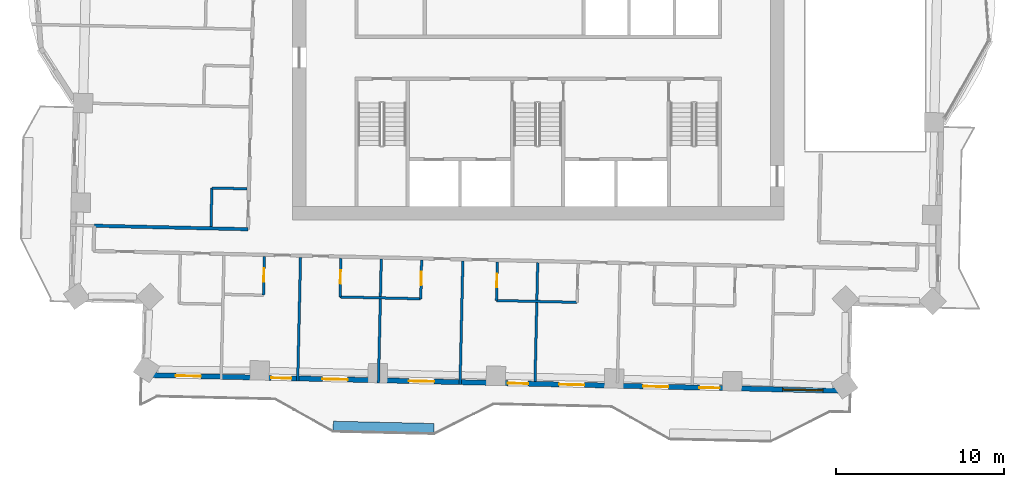
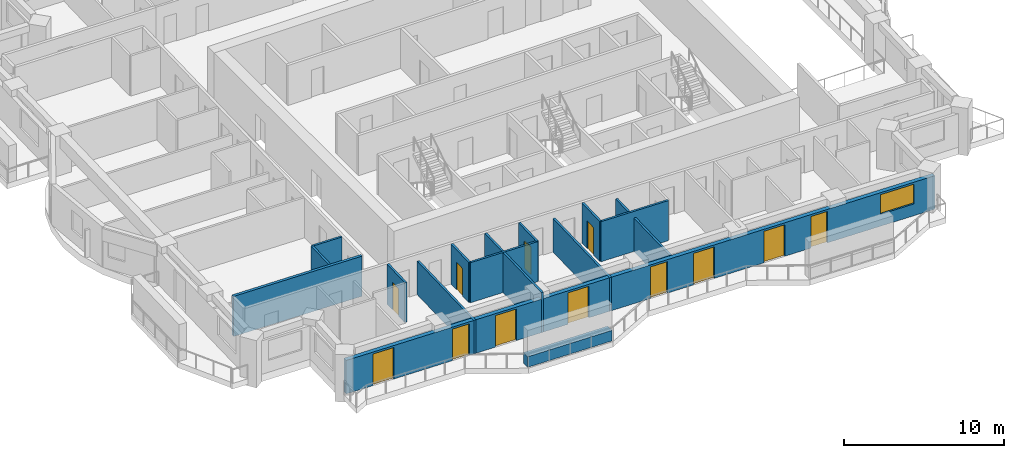
# One storey, part 6 of 16: 15 walls, 12 doors, 1 window, 13 openings.
"""IFC4 building model written with IfcOpenShell, lengths in metres."""

from ifc_helpers import new_model, si_unit, direction, frame, frame_2d, origin, place, context, subcontext, project, spatial, rectangle, extrude, material, layer, layer_set, type_object, element, fill, save


model = new_model("IFC4")

# Units and contexts
model_context = context("Model", 3, precision=1e-05, world=origin(), true_north=direction((0.0, 1.0)))
body_context = subcontext(model_context, "Body", "Model", "MODEL_VIEW")
ifc_project = project(units=[si_unit("LENGTHUNIT", "METRE"), si_unit("AREAUNIT", "SQUARE_METRE"), si_unit("VOLUMEUNIT", "CUBIC_METRE"), si_unit("PLANEANGLEUNIT", "RADIAN"), si_unit("MASSUNIT", "GRAM", prefix="KILO")], contexts=[model_context])

# Site, building, storey
site_placement = place(None, origin())
site = spatial("IfcSite", under=ifc_project, at=site_placement, CompositionType="ELEMENT")
building_placement = place(site_placement, origin())
building = spatial("IfcBuilding", under=site, at=building_placement, Name="Mangrove Gate Tower", CompositionType="ELEMENT")
storey_placement = place(building_placement, frame((0.0, 0.0, 197.89990234375)))
storey = spatial("IfcBuildingStorey", under=building, at=storey_placement, Name="L50", CompositionType="ELEMENT", Elevation=197.89990234375)

# Wall
ifc_material_1 = material(Name="Gypsum board on steel stud, EI 60", Category="steel")
ifc_layer_1 = layer(ifc_material_1, 0.199951171875)
ifc_layer_set_1 = layer_set([ifc_layer_1], Name="Corridor wall EI 60")
wall_type_1 = type_object("IfcWallType", Name="Corridor wall EI 60", PredefinedType="PARTITIONING", material=ifc_layer_set_1)
wall_1_placement = place(storey_placement, frame((-26.386962890625, -11.94091796875, 0.0), z_axis=(0.0, 0.0, 1.0), x_axis=(0.999741076645, -0.022754772455, 0.0)))
element("IfcWall", 1, at=wall_1_placement, inside=storey, type_object=wall_type_1, Name="WALL-L50-028", PredefinedType="PARTITIONING", context=body_context, shape_type="SweptSolid", body=[
    extrude(rectangle(XDim=9.141357421875, YDim=0.199951171875, at=frame_2d((4.57080078125, 0.0))), origin(), (0.0, 0.0, 1.0), 3.050048828125),
])

# Wall, openings, doors, window
ifc_material_2 = material(Name="Limestone", Category="masonry")
ifc_layer_2 = layer(ifc_material_2, 0.0400390625, Name="Limestone cladding")
ifc_material_3 = material(Name="Ventilated air gap")
ifc_layer_3 = layer(ifc_material_3, 0.0400390625, Name="Ventilated cavity")
ifc_material_4 = material(Name="Mineral wool insulation")
ifc_layer_4 = layer(ifc_material_4, 0.06005859375, Name="Insulation")
ifc_material_5 = material(Name="Breather membrane")
ifc_layer_5 = layer(ifc_material_5, 0.001953125, Name="Breather membrane")
ifc_material_6 = material(Name="Concrete C20/25 blockwork", Category="masonry")
ifc_layer_6 = layer(ifc_material_6, 0.14990234375, Name="Blockwork backing wall")
ifc_material_7 = material(Name="Gypsum plaster")
ifc_layer_7 = layer(ifc_material_7, 0.008056640625, Name="Internal plaster")
ifc_layer_set_2 = layer_set([ifc_layer_2, ifc_layer_3, ifc_layer_4, ifc_layer_5, ifc_layer_6, ifc_layer_7], Name="External wall 300 limestone cladding")
wall_type_2 = type_object("IfcWallType", Name="External wall 300 limestone cladding", PredefinedType="SOLIDWALL", material=ifc_layer_set_2)
wall_2_placement = place(storey_placement, frame((-23.43701171875, -20.81005859375, 0.0), z_axis=(0.0, 0.0, 1.0), x_axis=(0.999742269115, -0.022702320244, 0.0)))
wall_2 = element("IfcWall", 2, at=wall_2_placement, inside=storey, type_object=wall_type_2, Name="WALL-L50-S13", PredefinedType="SOLIDWALL", context=body_context, shape_type="SweptSolid", body=[
    extrude(rectangle(XDim=41.84375, YDim=0.300048828125, at=frame_2d((20.921875, 0.0))), origin(), (0.0, 0.0, 1.0), 2.550048828125),
])
opening_1_placement = place(wall_2_placement, frame((1.89892578125, 0.0, 0.0)))
opening_1 = element("IfcOpeningElement", 3, at=opening_1_placement, cuts=wall_2, Name="Opening BD1", PredefinedType="OPENING", context=body_context, shape_type="SweptSolid", body=[
    extrude(rectangle(XDim=1.5, YDim=2.39990234375, at=frame_2d((0.75, 1.199951171875))), frame((0.0, 0.159912109375, 0.0), z_axis=(0.0, -1.0, 0.0), x_axis=(1.0, 0.0, 0.0)), (0.0, 0.0, 1.0), 0.320068359375),
])
opening_2_placement = place(wall_2_placement, frame((7.574951171875, 0.0, 0.0)))
opening_2 = element("IfcOpeningElement", 4, at=opening_2_placement, cuts=wall_2, Name="Opening BD2", PredefinedType="OPENING", context=body_context, shape_type="SweptSolid", body=[
    extrude(rectangle(XDim=1.199951171875, YDim=2.39990234375, at=frame_2d((0.60009765625, 1.199951171875))), frame((0.0, 0.159912109375, 0.0), z_axis=(0.0, -1.0, 0.0), x_axis=(1.0, 0.0, 0.0)), (0.0, 0.0, 1.0), 0.320068359375),
])
opening_3_placement = place(wall_2_placement, frame((10.612060546875, 0.0, 0.0)))
opening_3 = element("IfcOpeningElement", 5, at=opening_3_placement, cuts=wall_2, Name="Opening BD1", PredefinedType="OPENING", context=body_context, shape_type="SweptSolid", body=[
    extrude(rectangle(XDim=1.5, YDim=2.39990234375, at=frame_2d((0.75, 1.199951171875))), frame((0.0, 0.159912109375, 0.0), z_axis=(0.0, -1.0, 0.0), x_axis=(1.0, 0.0, 0.0)), (0.0, 0.0, 1.0), 0.320068359375),
])
opening_4_placement = place(wall_2_placement, frame((15.761962890625, 0.0, 0.0)))
opening_4 = element("IfcOpeningElement", 6, at=opening_4_placement, cuts=wall_2, Name="Opening BD1", PredefinedType="OPENING", context=body_context, shape_type="SweptSolid", body=[
    extrude(rectangle(XDim=1.5, YDim=2.39990234375, at=frame_2d((0.75, 1.199951171875))), frame((0.0, 0.159912109375, 0.0), z_axis=(0.0, -1.0, 0.0), x_axis=(1.0, 0.0, 0.0)), (0.0, 0.0, 1.0), 0.320068359375),
])
opening_5_placement = place(wall_2_placement, frame((21.64794921875, 0.0, 0.0)))
opening_5 = element("IfcOpeningElement", 7, at=opening_5_placement, cuts=wall_2, Name="Opening BD2", PredefinedType="OPENING", context=body_context, shape_type="SweptSolid", body=[
    extrude(rectangle(XDim=1.199951171875, YDim=2.39990234375, at=frame_2d((0.60009765625, 1.199951171875))), frame((0.0, 0.159912109375, 0.0), z_axis=(0.0, -1.0, 0.0), x_axis=(1.0, 0.0, 0.0)), (0.0, 0.0, 1.0), 0.320068359375),
])
opening_6_placement = place(wall_2_placement, frame((24.68505859375, 0.0, 0.0)))
opening_6 = element("IfcOpeningElement", 8, at=opening_6_placement, cuts=wall_2, Name="Opening BD1", PredefinedType="OPENING", context=body_context, shape_type="SweptSolid", body=[
    extrude(rectangle(XDim=1.5, YDim=2.39990234375, at=frame_2d((0.75, 1.199951171875))), frame((0.0, 0.159912109375, 0.0), z_axis=(0.0, -1.0, 0.0), x_axis=(1.0, 0.0, 0.0)), (0.0, 0.0, 1.0), 0.320068359375),
])
opening_7_placement = place(wall_2_placement, frame((29.68505859375, 0.0, 0.0)))
opening_7 = element("IfcOpeningElement", 9, at=opening_7_placement, cuts=wall_2, Name="Opening BD1", PredefinedType="OPENING", context=body_context, shape_type="SweptSolid", body=[
    extrude(rectangle(XDim=1.5, YDim=2.39990234375, at=frame_2d((0.75, 1.199951171875))), frame((0.0, 0.159912109375, 0.0), z_axis=(0.0, -1.0, 0.0), x_axis=(1.0, 0.0, 0.0)), (0.0, 0.0, 1.0), 0.320068359375),
])
opening_8_placement = place(wall_2_placement, frame((33.02197265625, 0.0, 0.0)))
opening_8 = element("IfcOpeningElement", 10, at=opening_8_placement, cuts=wall_2, Name="Opening BD2", PredefinedType="OPENING", context=body_context, shape_type="SweptSolid", body=[
    extrude(rectangle(XDim=1.199951171875, YDim=2.39990234375, at=frame_2d((0.60009765625, 1.199951171875))), frame((0.0, 0.159912109375, 0.0), z_axis=(0.0, -1.0, 0.0), x_axis=(1.0, 0.0, 0.0)), (0.0, 0.0, 1.0), 0.320068359375),
])
opening_9_placement = place(wall_2_placement, frame((37.97412109375, 0.0, 0.89990234375)))
opening_9 = element("IfcOpeningElement", 11, at=opening_9_placement, cuts=wall_2, Name="Opening W2", PredefinedType="OPENING", context=body_context, shape_type="SweptSolid", body=[
    extrude(rectangle(XDim=2.39990234375, YDim=1.5, at=frame_2d((1.199951171875, 0.75))), frame((0.0, 0.159912109375, 0.0), z_axis=(0.0, -1.0, 0.0), x_axis=(1.0, 0.0, 0.0)), (0.0, 0.0, 1.0), 0.320068359375),
])
ifc_material_8 = material(Name="Aluminium frame with laminated clear glass", Category="aluminium")
door_type_1 = type_object("IfcDoorType", Name="Balcony sliding door 1200x2400", OperationType="SLIDING_TO_LEFT", PredefinedType="DOOR", material=ifc_material_8)
door_1_placement = place(opening_2_placement, origin())
door_1 = element("IfcDoor", 12, at=door_1_placement, inside=storey, type_object=door_type_1, Name="DOOR-L50-S13-2", OperationType="SLIDING_TO_LEFT", OverallHeight=2.39990234375, OverallWidth=1.199951171875, PredefinedType="DOOR", context=body_context, shape_type="SweptSolid", body=[
    extrude(rectangle(XDim=1.199951171875, YDim=2.39990234375, at=frame_2d((0.60009765625, 1.199951171875))), frame((0.0, 0.02490234375, 0.0), z_axis=(0.0, -1.0, 0.0), x_axis=(1.0, 0.0, 0.0)), (0.0, 0.0, 1.0), 0.050048828125),
])
fill(opening_2, door_1)
door_2_placement = place(opening_5_placement, origin())
door_2 = element("IfcDoor", 13, at=door_2_placement, inside=storey, type_object=door_type_1, Name="DOOR-L50-S13-5", OperationType="SLIDING_TO_LEFT", OverallHeight=2.39990234375, OverallWidth=1.199951171875, PredefinedType="DOOR", context=body_context, shape_type="SweptSolid", body=[
    extrude(rectangle(XDim=1.199951171875, YDim=2.39990234375, at=frame_2d((0.60009765625, 1.199951171875))), frame((0.0, 0.02490234375, 0.0), z_axis=(0.0, -1.0, 0.0), x_axis=(1.0, 0.0, 0.0)), (0.0, 0.0, 1.0), 0.050048828125),
])
fill(opening_5, door_2)
door_3_placement = place(opening_8_placement, origin())
door_3 = element("IfcDoor", 14, at=door_3_placement, inside=storey, type_object=door_type_1, Name="DOOR-L50-S13-8", OperationType="SLIDING_TO_LEFT", OverallHeight=2.39990234375, OverallWidth=1.199951171875, PredefinedType="DOOR", context=body_context, shape_type="SweptSolid", body=[
    extrude(rectangle(XDim=1.199951171875, YDim=2.39990234375, at=frame_2d((0.60009765625, 1.199951171875))), frame((0.0, 0.02490234375, 0.0), z_axis=(0.0, -1.0, 0.0), x_axis=(1.0, 0.0, 0.0)), (0.0, 0.0, 1.0), 0.050048828125),
])
fill(opening_8, door_3)
ifc_material_9 = material(Name="Aluminium frame with laminated clear glass", Category="aluminium")
door_type_2 = type_object("IfcDoorType", Name="Balcony sliding door 1500x2400", OperationType="SLIDING_TO_LEFT", PredefinedType="DOOR", material=ifc_material_9)
door_4_placement = place(opening_1_placement, origin())
door_4 = element("IfcDoor", 15, at=door_4_placement, inside=storey, type_object=door_type_2, Name="DOOR-L50-S13-1", OperationType="SLIDING_TO_LEFT", OverallHeight=2.39990234375, OverallWidth=1.5, PredefinedType="DOOR", context=body_context, shape_type="SweptSolid", body=[
    extrude(rectangle(XDim=1.5, YDim=2.39990234375, at=frame_2d((0.75, 1.199951171875))), frame((0.0, 0.02490234375, 0.0), z_axis=(0.0, -1.0, 0.0), x_axis=(1.0, 0.0, 0.0)), (0.0, 0.0, 1.0), 0.050048828125),
])
fill(opening_1, door_4)
door_5_placement = place(opening_3_placement, origin())
door_5 = element("IfcDoor", 16, at=door_5_placement, inside=storey, type_object=door_type_2, Name="DOOR-L50-S13-3", OperationType="SLIDING_TO_LEFT", OverallHeight=2.39990234375, OverallWidth=1.5, PredefinedType="DOOR", context=body_context, shape_type="SweptSolid", body=[
    extrude(rectangle(XDim=1.5, YDim=2.39990234375, at=frame_2d((0.75, 1.199951171875))), frame((0.0, 0.02490234375, 0.0), z_axis=(0.0, -1.0, 0.0), x_axis=(1.0, 0.0, 0.0)), (0.0, 0.0, 1.0), 0.050048828125),
])
fill(opening_3, door_5)
door_6_placement = place(opening_4_placement, origin())
door_6 = element("IfcDoor", 17, at=door_6_placement, inside=storey, type_object=door_type_2, Name="DOOR-L50-S13-4", OperationType="SLIDING_TO_LEFT", OverallHeight=2.39990234375, OverallWidth=1.5, PredefinedType="DOOR", context=body_context, shape_type="SweptSolid", body=[
    extrude(rectangle(XDim=1.5, YDim=2.39990234375, at=frame_2d((0.75, 1.199951171875))), frame((0.0, 0.02490234375, 0.0), z_axis=(0.0, -1.0, 0.0), x_axis=(1.0, 0.0, 0.0)), (0.0, 0.0, 1.0), 0.050048828125),
])
fill(opening_4, door_6)
door_7_placement = place(opening_6_placement, origin())
door_7 = element("IfcDoor", 18, at=door_7_placement, inside=storey, type_object=door_type_2, Name="DOOR-L50-S13-6", OperationType="SLIDING_TO_LEFT", OverallHeight=2.39990234375, OverallWidth=1.5, PredefinedType="DOOR", context=body_context, shape_type="SweptSolid", body=[
    extrude(rectangle(XDim=1.5, YDim=2.39990234375, at=frame_2d((0.75, 1.199951171875))), frame((0.0, 0.02490234375, 0.0), z_axis=(0.0, -1.0, 0.0), x_axis=(1.0, 0.0, 0.0)), (0.0, 0.0, 1.0), 0.050048828125),
])
fill(opening_6, door_7)
door_8_placement = place(opening_7_placement, origin())
door_8 = element("IfcDoor", 19, at=door_8_placement, inside=storey, type_object=door_type_2, Name="DOOR-L50-S13-7", OperationType="SLIDING_TO_LEFT", OverallHeight=2.39990234375, OverallWidth=1.5, PredefinedType="DOOR", context=body_context, shape_type="SweptSolid", body=[
    extrude(rectangle(XDim=1.5, YDim=2.39990234375, at=frame_2d((0.75, 1.199951171875))), frame((0.0, 0.02490234375, 0.0), z_axis=(0.0, -1.0, 0.0), x_axis=(1.0, 0.0, 0.0)), (0.0, 0.0, 1.0), 0.050048828125),
])
fill(opening_7, door_8)
ifc_material_10 = material(Name="Aluminium frame with double-glazed low-e glass", Category="aluminium")
window_type = type_object("IfcWindowType", Name="Corner room window 2400x1500", PartitioningType="DOUBLE_PANEL_VERTICAL", PredefinedType="WINDOW", material=ifc_material_10)
window_placement = place(opening_9_placement, origin())
window = element("IfcWindow", 20, at=window_placement, inside=storey, type_object=window_type, Name="WIN-L50-S13-9", OverallHeight=1.5, OverallWidth=2.39990234375, PartitioningType="DOUBLE_PANEL_VERTICAL", PredefinedType="WINDOW", context=body_context, shape_type="SweptSolid", body=[
    extrude(rectangle(XDim=2.39990234375, YDim=1.5, at=frame_2d((1.199951171875, 0.75))), frame((0.0, 0.030029296875, 0.0), z_axis=(0.0, -1.0, 0.0), x_axis=(1.0, 0.0, 0.0)), (0.0, 0.0, 1.0), 0.06005859375),
])
fill(opening_9, window)

# Walls
ifc_material_11 = material(Name="Gypsum board on steel stud, EI 60", Category="steel")
ifc_layer_8 = layer(ifc_material_11, 0.14990234375)
ifc_layer_set_3 = layer_set([ifc_layer_8], Name="Party wall 150 EI 60")
wall_type_3 = type_object("IfcWallType", Name="Party wall 150 EI 60", PredefinedType="PARTITIONING", material=ifc_layer_set_3)
wall_3_placement = place(storey_placement, frame((-14.291015625, -21.16796875, 0.0), z_axis=(0.0, 0.0, 1.0), x_axis=(0.022720650804, 0.999741852694, 0.0)))
element("IfcWall", 21, at=wall_3_placement, inside=storey, type_object=wall_type_3, Name="WALL-L50-002", PredefinedType="PARTITIONING", context=body_context, shape_type="SweptSolid", body=[
    extrude(rectangle(XDim=7.349853515625, YDim=0.14990234375, at=frame_2d((3.6748046875, 0.0))), origin(), (0.0, 0.0, 1.0), 2.550048828125),
])
wall_4_placement = place(storey_placement, frame((-9.491943359375, -21.277099609375, 0.0), z_axis=(0.0, 0.0, 1.0), x_axis=(0.022719896304, 0.99974186984, 0.0)))
element("IfcWall", 22, at=wall_4_placement, inside=storey, type_object=wall_type_3, Name="WALL-L50-003", PredefinedType="PARTITIONING", context=body_context, shape_type="SweptSolid", body=[
    extrude(rectangle(XDim=7.35009765625, YDim=0.14990234375, at=frame_2d((3.675048828125, 0.0))), origin(), (0.0, 0.0, 1.0), 3.050048828125),
])
wall_5_placement = place(storey_placement, frame((-4.64306640625, -21.386962890625, 0.0), z_axis=(0.0, 0.0, 1.0), x_axis=(0.022587849492, 0.99974486198, 0.0)))
element("IfcWall", 23, at=wall_5_placement, inside=storey, type_object=wall_type_3, Name="WALL-L50-004", PredefinedType="PARTITIONING", context=body_context, shape_type="SweptSolid", body=[
    extrude(rectangle(XDim=7.349853515625, YDim=0.14990234375, at=frame_2d((3.6748046875, 0.0))), origin(), (0.0, 0.0, 1.0), 2.550048828125),
])
wall_6_placement = place(storey_placement, frame((-0.18798828125, -21.18798828125, 0.0), z_axis=(0.0, 0.0, 1.0), x_axis=(0.022682859663, 0.99974271084, 0.0)))
element("IfcWall", 24, at=wall_6_placement, inside=storey, type_object=wall_type_3, Name="WALL-L50-005", PredefinedType="PARTITIONING", context=body_context, shape_type="SweptSolid", body=[
    extrude(rectangle(XDim=7.0498046875, YDim=0.14990234375, at=frame_2d((3.52490234375, 0.0))), origin(), (0.0, 0.0, 1.0), 2.550048828125),
])

# Wall, opening, door
wall_7_placement = place(storey_placement, frame((-16.325927734375, -16.070068359375, 0.0), z_axis=(0.0, 0.0, 1.0), x_axis=(0.022612884682, 0.999744296031, 0.0)))
wall_7 = element("IfcWall", 25, at=wall_7_placement, inside=storey, type_object=wall_type_3, Name="WALL-L50-014", PredefinedType="PARTITIONING", context=body_context, shape_type="SweptSolid", body=[
    extrude(rectangle(XDim=2.299560546875, YDim=0.14990234375, at=frame_2d((1.14990234375, 0.0))), origin(), (0.0, 0.0, 1.0), 3.050048828125),
])
opening_10_placement = place(wall_7_placement, frame((0.800048828125, 0.0, 0.0)))
opening_10 = element("IfcOpeningElement", 26, at=opening_10_placement, cuts=wall_7, Name="Opening ED", PredefinedType="OPENING", context=body_context, shape_type="SweptSolid", body=[
    extrude(rectangle(XDim=0.800048828125, YDim=2.10009765625, at=frame_2d((0.39990234375, 1.050048828125))), frame((0.0, 0.0849609375, 0.0), z_axis=(0.0, -1.0, 0.0), x_axis=(1.0, 0.0, 0.0)), (0.0, 0.0, 1.0), 0.169921875),
])
ifc_material_12 = material(Name="Timber door leaf", Category="wood")
door_type_3 = type_object("IfcDoorType", Name="En-suite door 800", OperationType="SINGLE_SWING_LEFT", PredefinedType="DOOR", material=ifc_material_12)
door_9_placement = place(opening_10_placement, origin())
door_9 = element("IfcDoor", 27, at=door_9_placement, inside=storey, type_object=door_type_3, Name="DOOR-L50-ENS-c101", OperationType="SINGLE_SWING_LEFT", OverallHeight=2.10009765625, OverallWidth=0.800048828125, PredefinedType="DOOR", context=body_context, shape_type="SweptSolid", body=[
    extrude(rectangle(XDim=0.800048828125, YDim=2.10009765625, at=frame_2d((0.39990234375, 1.050048828125))), frame((0.0, 0.02490234375, 0.0), z_axis=(0.0, -1.0, 0.0), x_axis=(1.0, 0.0, 0.0)), (0.0, 0.0, 1.0), 0.050048828125),
])
fill(opening_10, door_9)

# Wall
wall_8_placement = place(storey_placement, frame((-11.779052734375, -16.174072265625, 0.0), z_axis=(0.0, 0.0, 1.0), x_axis=(0.999742701292, -0.022683280499, 0.0)))
element("IfcWall", 28, at=wall_8_placement, inside=storey, type_object=wall_type_3, Name="WALL-L50-015", PredefinedType="PARTITIONING", context=body_context, shape_type="SweptSolid", body=[
    extrude(rectangle(XDim=4.80029296875, YDim=0.14990234375, at=frame_2d((2.400146484375, 0.0))), origin(), (0.0, 0.0, 1.0), 3.050048828125),
])

# Wall, opening, door
wall_9_placement = place(storey_placement, frame((-11.777099609375, -16.174072265625, 0.0), z_axis=(0.0, 0.0, 1.0), x_axis=(0.022603288534, 0.999744513037, 0.0)))
wall_9 = element("IfcWall", 29, at=wall_9_placement, inside=storey, type_object=wall_type_3, Name="WALL-L50-016", PredefinedType="PARTITIONING", context=body_context, shape_type="SweptSolid", body=[
    extrude(rectangle(XDim=2.300537109375, YDim=0.14990234375, at=frame_2d((1.150390625, 0.0))), origin(), (0.0, 0.0, 1.0), 3.050048828125),
])
opening_11_placement = place(wall_9_placement, frame((0.800048828125, 0.0, 0.0)))
opening_11 = element("IfcOpeningElement", 30, at=opening_11_placement, cuts=wall_9, Name="Opening ED", PredefinedType="OPENING", context=body_context, shape_type="SweptSolid", body=[
    extrude(rectangle(XDim=0.800048828125, YDim=2.10009765625, at=frame_2d((0.39990234375, 1.050048828125))), frame((0.0, 0.0849609375, 0.0), z_axis=(0.0, -1.0, 0.0), x_axis=(1.0, 0.0, 0.0)), (0.0, 0.0, 1.0), 0.169921875),
])
door_10_placement = place(opening_11_placement, origin())
door_10 = element("IfcDoor", 31, at=door_10_placement, inside=storey, type_object=door_type_3, Name="DOOR-L50-ENS-c102", OperationType="SINGLE_SWING_RIGHT", OverallHeight=2.10009765625, OverallWidth=0.800048828125, PredefinedType="DOOR", context=body_context, shape_type="SweptSolid", body=[
    extrude(rectangle(XDim=0.800048828125, YDim=2.10009765625, at=frame_2d((0.39990234375, 1.050048828125))), frame((0.0, 0.02490234375, 0.0), z_axis=(0.0, -1.0, 0.0), x_axis=(1.0, 0.0, 0.0)), (0.0, 0.0, 1.0), 0.050048828125),
])
fill(opening_11, door_10)

wall_10_placement = place(storey_placement, frame((-6.97802734375, -16.282958984375, 0.0), z_axis=(0.0, 0.0, 1.0), x_axis=(0.022603288534, 0.999744513037, 0.0)))
wall_10 = element("IfcWall", 32, at=wall_10_placement, inside=storey, type_object=wall_type_3, Name="WALL-L50-017", PredefinedType="PARTITIONING", context=body_context, shape_type="SweptSolid", body=[
    extrude(rectangle(XDim=2.300537109375, YDim=0.14990234375, at=frame_2d((1.150390625, 0.0))), origin(), (0.0, 0.0, 1.0), 3.050048828125),
])
opening_12_placement = place(wall_10_placement, frame((0.800048828125, 0.0, 0.0)))
opening_12 = element("IfcOpeningElement", 33, at=opening_12_placement, cuts=wall_10, Name="Opening ED", PredefinedType="OPENING", context=body_context, shape_type="SweptSolid", body=[
    extrude(rectangle(XDim=0.800048828125, YDim=2.10009765625, at=frame_2d((0.39990234375, 1.050048828125))), frame((0.0, 0.0849609375, 0.0), z_axis=(0.0, -1.0, 0.0), x_axis=(1.0, 0.0, 0.0)), (0.0, 0.0, 1.0), 0.169921875),
])
door_11_placement = place(opening_12_placement, origin())
door_11 = element("IfcDoor", 34, at=door_11_placement, inside=storey, type_object=door_type_3, Name="DOOR-L50-ENS-c103", OperationType="SINGLE_SWING_LEFT", OverallHeight=2.10009765625, OverallWidth=0.800048828125, PredefinedType="DOOR", context=body_context, shape_type="SweptSolid", body=[
    extrude(rectangle(XDim=0.800048828125, YDim=2.10009765625, at=frame_2d((0.39990234375, 1.050048828125))), frame((0.0, 0.02490234375, 0.0), z_axis=(0.0, -1.0, 0.0), x_axis=(1.0, 0.0, 0.0)), (0.0, 0.0, 1.0), 0.050048828125),
])
fill(opening_12, door_11)

# Wall
wall_11_placement = place(storey_placement, frame((-2.48095703125, -16.385009765625, 0.0), z_axis=(0.0, 0.0, 1.0), x_axis=(0.999742570398, -0.022689048768, 0.0)))
element("IfcWall", 35, at=wall_11_placement, inside=storey, type_object=wall_type_3, Name="WALL-L50-018", PredefinedType="PARTITIONING", context=body_context, shape_type="SweptSolid", body=[
    extrude(rectangle(XDim=4.799072265625, YDim=0.14990234375, at=frame_2d((2.3994140625, 0.0))), origin(), (0.0, 0.0, 1.0), 3.050048828125),
])

# Wall, opening, door
wall_12_placement = place(storey_placement, frame((-2.47900390625, -16.385009765625, 0.0), z_axis=(0.0, 0.0, 1.0), x_axis=(0.022603288534, 0.999744513037, 0.0)))
wall_12 = element("IfcWall", 36, at=wall_12_placement, inside=storey, type_object=wall_type_3, Name="WALL-L50-019", PredefinedType="PARTITIONING", context=body_context, shape_type="SweptSolid", body=[
    extrude(rectangle(XDim=2.300537109375, YDim=0.14990234375, at=frame_2d((1.150390625, 0.0))), origin(), (0.0, 0.0, 1.0), 3.050048828125),
])
opening_13_placement = place(wall_12_placement, frame((0.800048828125, 0.0, 0.0)))
opening_13 = element("IfcOpeningElement", 37, at=opening_13_placement, cuts=wall_12, Name="Opening ED", PredefinedType="OPENING", context=body_context, shape_type="SweptSolid", body=[
    extrude(rectangle(XDim=0.800048828125, YDim=2.10009765625, at=frame_2d((0.39990234375, 1.050048828125))), frame((0.0, 0.0849609375, 0.0), z_axis=(0.0, -1.0, 0.0), x_axis=(1.0, 0.0, 0.0)), (0.0, 0.0, 1.0), 0.169921875),
])
door_12_placement = place(opening_13_placement, origin())
door_12 = element("IfcDoor", 38, at=door_12_placement, inside=storey, type_object=door_type_3, Name="DOOR-L50-ENS-c204", OperationType="SINGLE_SWING_RIGHT", OverallHeight=2.10009765625, OverallWidth=0.800048828125, PredefinedType="DOOR", context=body_context, shape_type="SweptSolid", body=[
    extrude(rectangle(XDim=0.800048828125, YDim=2.10009765625, at=frame_2d((0.39990234375, 1.050048828125))), frame((0.0, 0.02490234375, 0.0), z_axis=(0.0, -1.0, 0.0), x_axis=(1.0, 0.0, 0.0)), (0.0, 0.0, 1.0), 0.050048828125),
])
fill(opening_13, door_12)

# Walls
wall_13_placement = place(storey_placement, frame((-19.444091796875, -11.9990234375, 0.0), z_axis=(0.0, 0.0, 1.0), x_axis=(0.022603288534, 0.999744513037, 0.0)))
element("IfcWall", 39, at=wall_13_placement, inside=storey, type_object=wall_type_3, Name="WALL-L50-029", PredefinedType="PARTITIONING", context=body_context, shape_type="SweptSolid", body=[
    extrude(rectangle(XDim=2.300537109375, YDim=0.14990234375, at=frame_2d((1.150390625, 0.0))), origin(), (0.0, 0.0, 1.0), 3.050048828125),
])
wall_14_placement = place(storey_placement, frame((-19.39306640625, -9.698974609375, 0.0), z_axis=(0.0, 0.0, 1.0), x_axis=(0.999737616439, -0.022906293375, 0.0)))
element("IfcWall", 40, at=wall_14_placement, inside=storey, type_object=wall_type_3, Name="WALL-L50-034", PredefinedType="PARTITIONING", context=body_context, shape_type="SweptSolid", body=[
    extrude(rectangle(XDim=2.099609375, YDim=0.14990234375, at=frame_2d((1.0498046875, 0.0))), origin(), (0.0, 0.0, 1.0), 3.050048828125),
])
ifc_material_13 = material(Name="Concrete C32/40", Category="concrete")
ifc_layer_9 = layer(ifc_material_13, 0.199951171875, Name="Planter trough wall")
ifc_material_14 = material(Name="Bituminous waterproofing membrane")
ifc_layer_10 = layer(ifc_material_14, 0.0048828125, Name="Waterproofing")
ifc_material_15 = material(Name="Drainage board and gravel")
ifc_layer_11 = layer(ifc_material_15, 0.044921875, Name="Drainage layer")
ifc_material_16 = material(Name="Planting soil")
ifc_layer_12 = layer(ifc_material_16, 0.300048828125, Name="Growing medium")
ifc_layer_set_4 = layer_set([ifc_layer_9, ifc_layer_10, ifc_layer_11, ifc_layer_12], Name="Planter wall 550 C32/40")
wall_type_4 = type_object("IfcWallType", Name="Planter wall 550 C32/40", PredefinedType="USERDEFINED", material=ifc_layer_set_4)
wall_15_placement = place(storey_placement, frame((-12.180908203125, -23.8310546875, 0.0), z_axis=(0.0, 0.0, 1.0), x_axis=(0.999739371644, -0.02282955947, 0.0)))
element("IfcWall", 41, at=wall_15_placement, inside=storey, type_object=wall_type_4, Name="PLANTER L50 S0.1", ObjectType="PLANTER", PredefinedType="USERDEFINED", context=body_context, shape_type="SweptSolid", body=[
    extrude(rectangle(XDim=5.999267578125, YDim=0.550048828125, at=frame_2d((2.99951171875, 0.0))), origin(), (0.0, 0.0, 1.0), 0.800048828125),
])

save(model, "model.ifc")
